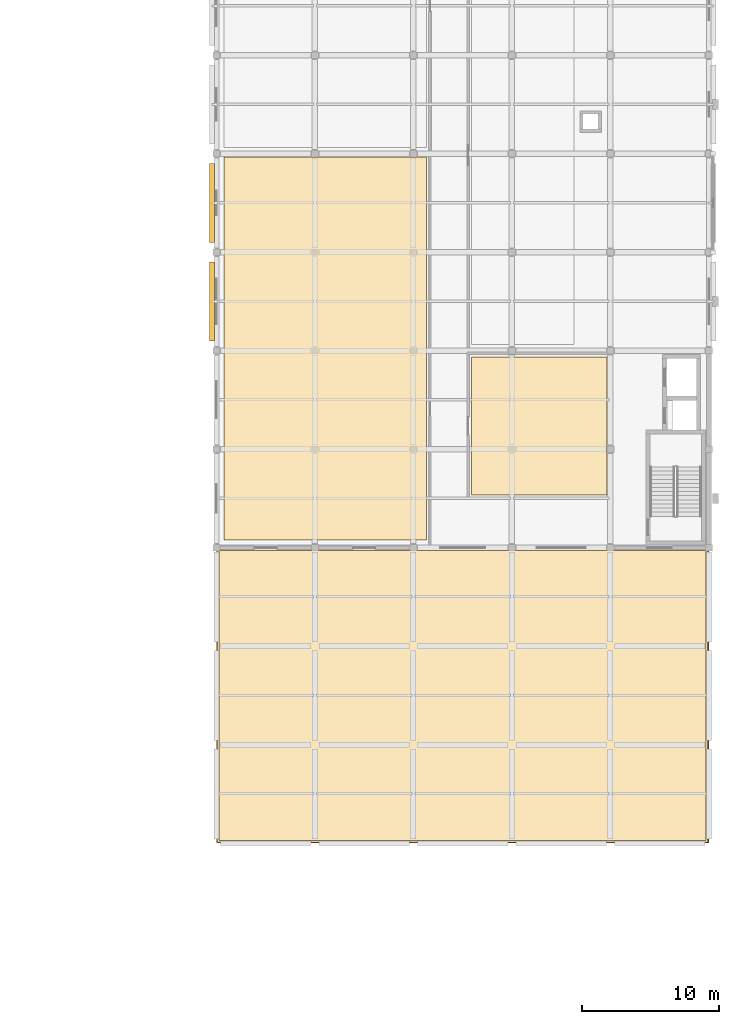
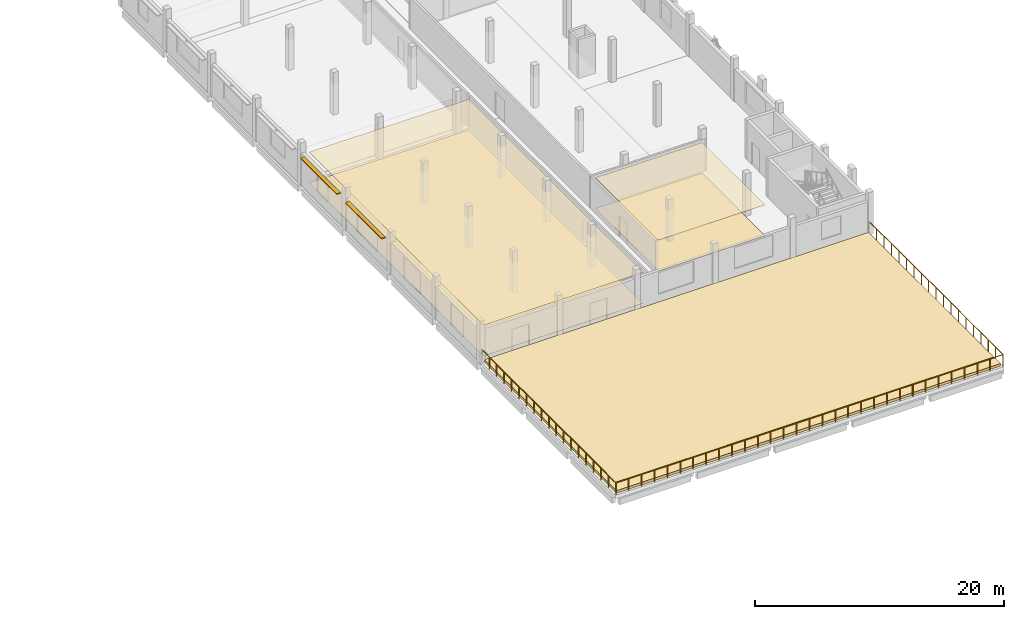
# One storey, part 31 of 33: 5 coverings, 2 shading devices, 1 railing.
"""IFC4 building model written with IfcOpenShell, lengths in metres."""

from ifc_helpers import new_model, si_unit, direction, frame, origin, origin_2d, place, context, subcontext, project, spatial, polyline, rectangle, circle, outline, extrude, material, layer, layer_set, type_object, element, save


model = new_model("IFC4")

# Units and contexts
model_context = context("Model", 3, precision=1e-05, world=origin(), true_north=direction((0.0, 1.0)))
body_context = subcontext(model_context, "Body", "Model", "MODEL_VIEW")
ifc_project = project(units=[si_unit("LENGTHUNIT", "METRE"), si_unit("AREAUNIT", "SQUARE_METRE"), si_unit("VOLUMEUNIT", "CUBIC_METRE"), si_unit("PLANEANGLEUNIT", "RADIAN"), si_unit("MASSUNIT", "GRAM", prefix="KILO")], contexts=[model_context])

# Site, building, storey
site_placement = place(None, origin())
site = spatial("IfcSite", under=ifc_project, at=site_placement, CompositionType="ELEMENT")
building_placement = place(site_placement, origin())
building = spatial("IfcBuilding", under=site, at=building_placement, Name="Valkovuoma Quantum and Materials Research Institute", CompositionType="ELEMENT")
storey_placement = place(building_placement, frame((0.0, 0.0, 21.43994140625)))
storey = spatial("IfcBuildingStorey", under=building, at=storey_placement, Name="L05", CompositionType="ELEMENT", Elevation=21.43994140625)

# Coverings
ifc_material_1 = material(Name="Cleanable acoustic mineral-fibre suspended ceiling", Category="masonry")
ifc_layer_1 = layer(ifc_material_1, 0.02490234375)
ifc_layer_set_1 = layer_set([ifc_layer_1], Name="Cleanable acoustic mineral-fibre suspended ceiling")
covering_type_1 = type_object("IfcCoveringType", Name="Cov-CEIL-01", PredefinedType="CEILING", material=ifc_layer_set_1)
covering_1_placement = place(storey_placement, frame((0.0, 0.0, 3.0)))
element("IfcCovering", 1, at=covering_1_placement, inside=storey, type_object=covering_type_1, Name="L05 acoustic ceiling 0127", PredefinedType="CEILING", context=body_context, shape_type="SweptSolid", body=[
    extrude(outline(polyline([(130.14990234375, 58.14990234375), (144.949951171875, 58.14990234375), (144.949951171875, 86.14990234375), (130.14990234375, 86.14990234375), (130.14990234375, 58.14990234375)])), origin(), (0.0, 0.0, 1.0), 0.025146484375),
])
covering_2_placement = place(storey_placement, frame((0.0, 0.0, 3.0)))
element("IfcCovering", 2, at=covering_2_placement, inside=storey, type_object=covering_type_1, Name="L05 acoustic ceiling 0130", PredefinedType="CEILING", context=body_context, shape_type="SweptSolid", body=[
    extrude(outline(polyline([(148.25, 61.449951171875), (158.14990234375, 61.449951171875), (158.14990234375, 71.550048828125), (148.25, 71.550048828125), (148.25, 61.449951171875)])), origin(), (0.0, 0.0, 1.0), 0.025146484375),
])
ifc_material_2 = material(Name="Seamless dissipative laboratory resin flooring", Category="masonry")
ifc_layer_2 = layer(ifc_material_2, 0.014892578125)
ifc_layer_set_2 = layer_set([ifc_layer_2], Name="Seamless dissipative laboratory resin flooring")
covering_type_2 = type_object("IfcCoveringType", Name="Cov-FLOR-01", PredefinedType="FLOORING", material=ifc_layer_set_2)
covering_3_placement = place(storey_placement, origin())
element("IfcCovering", 3, at=covering_3_placement, inside=storey, type_object=covering_type_2, Name="L05 resin flooring 0127", PredefinedType="FLOORING", context=body_context, shape_type="SweptSolid", body=[
    extrude(outline(polyline([(130.14990234375, 58.14990234375), (144.949951171875, 58.14990234375), (144.949951171875, 86.14990234375), (130.14990234375, 86.14990234375), (130.14990234375, 58.14990234375)])), origin(), (0.0, 0.0, 1.0), 0.01513671875),
])
covering_4_placement = place(storey_placement, origin())
element("IfcCovering", 4, at=covering_4_placement, inside=storey, type_object=covering_type_2, Name="L05 resin flooring 0130", PredefinedType="FLOORING", context=body_context, shape_type="SweptSolid", body=[
    extrude(outline(polyline([(148.25, 61.449951171875), (158.14990234375, 61.449951171875), (158.14990234375, 71.550048828125), (148.25, 71.550048828125), (148.25, 61.449951171875)])), origin(), (0.0, 0.0, 1.0), 0.01513671875),
])
ifc_material_3 = material(Name="Extensive Nordic sedum and birch planted roof-garden build-up", Category="masonry")
ifc_layer_3 = layer(ifc_material_3, 0.25)
ifc_layer_set_3 = layer_set([ifc_layer_3], Name="Extensive Nordic sedum and birch planted roof-garden build-up")
covering_type_3 = type_object("IfcCoveringType", Name="Cov-ROOF-GDN", PredefinedType="ROOFING", material=ifc_layer_set_3)
covering_5_placement = place(storey_placement, origin())
element("IfcCovering", 5, at=covering_5_placement, inside=storey, type_object=covering_type_3, Name="L05 roof covering GDN-WET", PredefinedType="ROOFING", context=body_context, shape_type="SweptSolid", body=[
    extrude(outline(polyline([(129.800048828125, 36.199951171875), (165.39990234375, 36.199951171875), (165.39990234375, 57.39990234375), (129.800048828125, 57.39990234375), (129.800048828125, 36.199951171875)])), origin(), (0.0, 0.0, 1.0), 0.25),
])

# Railing
ifc_material_4 = material(Name="Hot-dip galvanised and powder-coated steel guardrail", Category="steel")
railing_type = type_object("IfcRailingType", Name="Rail-GRD-EXT", PredefinedType="BALUSTRADE", material=ifc_material_4)
railing_placement = place(storey_placement, frame((129.64990234375, 57.550048828125, 0.0)))
element("IfcRailing", 6, at=railing_placement, inside=storey, type_object=railing_type, Name="L05 perimeter balustrade 03", PredefinedType="BALUSTRADE", context=body_context, shape_type="SweptSolid", body=[
    extrude(circle(Radius=0.02392578125, at=origin_2d()), frame((0.0, 0.0, 1.17578125), z_axis=(0.0, -1.0, 0.0), x_axis=(1.0, 0.0, 0.0)), (0.0, 0.0, 1.0), 21.5),
    extrude(circle(Radius=0.02392578125, at=origin_2d()), frame((0.0, -21.5, 1.17578125), z_axis=(1.0, 0.0, 0.0), x_axis=(0.0, 1.0, 0.0)), (0.0, 0.0, 1.0), 35.900146484375),
    extrude(circle(Radius=0.02392578125, at=origin_2d()), frame((35.900146484375, -21.5, 1.17578125), z_axis=(0.0, 1.0, 0.0), x_axis=(-1.0, 0.0, 0.0)), (0.0, 0.0, 1.0), 21.5),
    extrude(circle(Radius=0.02099609375, at=origin_2d()), origin(), (0.0, 0.0, 1.0), 1.15185546875),
    extrude(circle(Radius=0.02099609375, at=origin_2d()), frame((0.0, -1.1943359375, 0.0)), (0.0, 0.0, 1.0), 1.15185546875),
    extrude(circle(Radius=0.02099609375, at=origin_2d()), frame((0.0, -2.388916015625, 0.0)), (0.0, 0.0, 1.0), 1.15185546875),
    extrude(circle(Radius=0.02099609375, at=origin_2d()), frame((0.0, -3.583251953125, 0.0)), (0.0, 0.0, 1.0), 1.15185546875),
    extrude(circle(Radius=0.02099609375, at=origin_2d()), frame((0.0, -4.77783203125, 0.0)), (0.0, 0.0, 1.0), 1.15185546875),
    extrude(circle(Radius=0.02099609375, at=origin_2d()), frame((0.0, -5.97216796875, 0.0)), (0.0, 0.0, 1.0), 1.15185546875),
    extrude(circle(Radius=0.02099609375, at=origin_2d()), frame((0.0, -7.166748046875, 0.0)), (0.0, 0.0, 1.0), 1.15185546875),
    extrude(circle(Radius=0.02099609375, at=origin_2d()), frame((0.0, -8.361083984375, 0.0)), (0.0, 0.0, 1.0), 1.15185546875),
    extrude(circle(Radius=0.02099609375, at=origin_2d()), frame((0.0, -9.5556640625, 0.0)), (0.0, 0.0, 1.0), 1.15185546875),
    extrude(circle(Radius=0.02099609375, at=origin_2d()), frame((0.0, -10.75, 0.0)), (0.0, 0.0, 1.0), 1.15185546875),
    extrude(circle(Radius=0.02099609375, at=origin_2d()), frame((0.0, -11.9443359375, 0.0)), (0.0, 0.0, 1.0), 1.15185546875),
    extrude(circle(Radius=0.02099609375, at=origin_2d()), frame((0.0, -13.138916015625, 0.0)), (0.0, 0.0, 1.0), 1.15185546875),
    extrude(circle(Radius=0.02099609375, at=origin_2d()), frame((0.0, -14.333251953125, 0.0)), (0.0, 0.0, 1.0), 1.15185546875),
    extrude(circle(Radius=0.02099609375, at=origin_2d()), frame((0.0, -15.52783203125, 0.0)), (0.0, 0.0, 1.0), 1.15185546875),
    extrude(circle(Radius=0.02099609375, at=origin_2d()), frame((0.0, -16.72216796875, 0.0)), (0.0, 0.0, 1.0), 1.15185546875),
    extrude(circle(Radius=0.02099609375, at=origin_2d()), frame((0.0, -17.916748046875, 0.0)), (0.0, 0.0, 1.0), 1.15185546875),
    extrude(circle(Radius=0.02099609375, at=origin_2d()), frame((0.0, -19.111083984375, 0.0)), (0.0, 0.0, 1.0), 1.15185546875),
    extrude(circle(Radius=0.02099609375, at=origin_2d()), frame((0.0, -20.3056640625, 0.0)), (0.0, 0.0, 1.0), 1.15185546875),
    extrude(circle(Radius=0.02099609375, at=origin_2d()), frame((0.0, -21.5, 0.0)), (0.0, 0.0, 1.0), 1.15185546875),
    extrude(circle(Radius=0.02099609375, at=origin_2d()), frame((1.19677734375, -21.5, 0.0)), (0.0, 0.0, 1.0), 1.15185546875),
    extrude(circle(Radius=0.02099609375, at=origin_2d()), frame((2.393310546875, -21.5, 0.0)), (0.0, 0.0, 1.0), 1.15185546875),
    extrude(circle(Radius=0.02099609375, at=origin_2d()), frame((3.590087890625, -21.5, 0.0)), (0.0, 0.0, 1.0), 1.15185546875),
    extrude(circle(Radius=0.02099609375, at=origin_2d()), frame((4.78662109375, -21.5, 0.0)), (0.0, 0.0, 1.0), 1.15185546875),
    extrude(circle(Radius=0.02099609375, at=origin_2d()), frame((5.9833984375, -21.5, 0.0)), (0.0, 0.0, 1.0), 1.15185546875),
    extrude(circle(Radius=0.02099609375, at=origin_2d()), frame((7.179931640625, -21.5, 0.0)), (0.0, 0.0, 1.0), 1.15185546875),
    extrude(circle(Radius=0.02099609375, at=origin_2d()), frame((8.376708984375, -21.5, 0.0)), (0.0, 0.0, 1.0), 1.15185546875),
    extrude(circle(Radius=0.02099609375, at=origin_2d()), frame((9.573486328125, -21.5, 0.0)), (0.0, 0.0, 1.0), 1.15185546875),
    extrude(circle(Radius=0.02099609375, at=origin_2d()), frame((10.77001953125, -21.5, 0.0)), (0.0, 0.0, 1.0), 1.15185546875),
    extrude(circle(Radius=0.02099609375, at=origin_2d()), frame((11.966796875, -21.5, 0.0)), (0.0, 0.0, 1.0), 1.15185546875),
    extrude(circle(Radius=0.02099609375, at=origin_2d()), frame((13.163330078125, -21.5, 0.0)), (0.0, 0.0, 1.0), 1.15185546875),
    extrude(circle(Radius=0.02099609375, at=origin_2d()), frame((14.360107421875, -21.5, 0.0)), (0.0, 0.0, 1.0), 1.15185546875),
    extrude(circle(Radius=0.02099609375, at=origin_2d()), frame((15.556640625, -21.5, 0.0)), (0.0, 0.0, 1.0), 1.15185546875),
    extrude(circle(Radius=0.02099609375, at=origin_2d()), frame((16.75341796875, -21.5, 0.0)), (0.0, 0.0, 1.0), 1.15185546875),
    extrude(circle(Radius=0.02099609375, at=origin_2d()), frame((17.9501953125, -21.5, 0.0)), (0.0, 0.0, 1.0), 1.15185546875),
    extrude(circle(Radius=0.02099609375, at=origin_2d()), frame((19.146728515625, -21.5, 0.0)), (0.0, 0.0, 1.0), 1.15185546875),
    extrude(circle(Radius=0.02099609375, at=origin_2d()), frame((20.343505859375, -21.5, 0.0)), (0.0, 0.0, 1.0), 1.15185546875),
    extrude(circle(Radius=0.02099609375, at=origin_2d()), frame((21.5400390625, -21.5, 0.0)), (0.0, 0.0, 1.0), 1.15185546875),
    extrude(circle(Radius=0.02099609375, at=origin_2d()), frame((22.73681640625, -21.5, 0.0)), (0.0, 0.0, 1.0), 1.15185546875),
    extrude(circle(Radius=0.02099609375, at=origin_2d()), frame((23.933349609375, -21.5, 0.0)), (0.0, 0.0, 1.0), 1.15185546875),
    extrude(circle(Radius=0.02099609375, at=origin_2d()), frame((25.130126953125, -21.5, 0.0)), (0.0, 0.0, 1.0), 1.15185546875),
    extrude(circle(Radius=0.02099609375, at=origin_2d()), frame((26.32666015625, -21.5, 0.0)), (0.0, 0.0, 1.0), 1.15185546875),
    extrude(circle(Radius=0.02099609375, at=origin_2d()), frame((27.5234375, -21.5, 0.0)), (0.0, 0.0, 1.0), 1.15185546875),
    extrude(circle(Radius=0.02099609375, at=origin_2d()), frame((28.72021484375, -21.5, 0.0)), (0.0, 0.0, 1.0), 1.15185546875),
    extrude(circle(Radius=0.02099609375, at=origin_2d()), frame((29.916748046875, -21.5, 0.0)), (0.0, 0.0, 1.0), 1.15185546875),
    extrude(circle(Radius=0.02099609375, at=origin_2d()), frame((31.113525390625, -21.5, 0.0)), (0.0, 0.0, 1.0), 1.15185546875),
    extrude(circle(Radius=0.02099609375, at=origin_2d()), frame((32.31005859375, -21.5, 0.0)), (0.0, 0.0, 1.0), 1.15185546875),
    extrude(circle(Radius=0.02099609375, at=origin_2d()), frame((33.5068359375, -21.5, 0.0)), (0.0, 0.0, 1.0), 1.15185546875),
    extrude(circle(Radius=0.02099609375, at=origin_2d()), frame((34.703369140625, -21.5, 0.0)), (0.0, 0.0, 1.0), 1.15185546875),
    extrude(circle(Radius=0.02099609375, at=origin_2d()), frame((35.900146484375, -21.5, 0.0)), (0.0, 0.0, 1.0), 1.15185546875),
    extrude(circle(Radius=0.02099609375, at=origin_2d()), frame((35.900146484375, -20.3056640625, 0.0)), (0.0, 0.0, 1.0), 1.15185546875),
    extrude(circle(Radius=0.02099609375, at=origin_2d()), frame((35.900146484375, -19.111083984375, 0.0)), (0.0, 0.0, 1.0), 1.15185546875),
    extrude(circle(Radius=0.02099609375, at=origin_2d()), frame((35.900146484375, -17.916748046875, 0.0)), (0.0, 0.0, 1.0), 1.15185546875),
    extrude(circle(Radius=0.02099609375, at=origin_2d()), frame((35.900146484375, -16.72216796875, 0.0)), (0.0, 0.0, 1.0), 1.15185546875),
    extrude(circle(Radius=0.02099609375, at=origin_2d()), frame((35.900146484375, -15.52783203125, 0.0)), (0.0, 0.0, 1.0), 1.15185546875),
    extrude(circle(Radius=0.02099609375, at=origin_2d()), frame((35.900146484375, -14.333251953125, 0.0)), (0.0, 0.0, 1.0), 1.15185546875),
    extrude(circle(Radius=0.02099609375, at=origin_2d()), frame((35.900146484375, -13.138916015625, 0.0)), (0.0, 0.0, 1.0), 1.15185546875),
    extrude(circle(Radius=0.02099609375, at=origin_2d()), frame((35.900146484375, -11.9443359375, 0.0)), (0.0, 0.0, 1.0), 1.15185546875),
    extrude(circle(Radius=0.02099609375, at=origin_2d()), frame((35.900146484375, -10.75, 0.0)), (0.0, 0.0, 1.0), 1.15185546875),
    extrude(circle(Radius=0.02099609375, at=origin_2d()), frame((35.900146484375, -9.5556640625, 0.0)), (0.0, 0.0, 1.0), 1.15185546875),
    extrude(circle(Radius=0.02099609375, at=origin_2d()), frame((35.900146484375, -8.361083984375, 0.0)), (0.0, 0.0, 1.0), 1.15185546875),
    extrude(circle(Radius=0.02099609375, at=origin_2d()), frame((35.900146484375, -7.166748046875, 0.0)), (0.0, 0.0, 1.0), 1.15185546875),
    extrude(circle(Radius=0.02099609375, at=origin_2d()), frame((35.900146484375, -5.97216796875, 0.0)), (0.0, 0.0, 1.0), 1.15185546875),
    extrude(circle(Radius=0.02099609375, at=origin_2d()), frame((35.900146484375, -4.77783203125, 0.0)), (0.0, 0.0, 1.0), 1.15185546875),
    extrude(circle(Radius=0.02099609375, at=origin_2d()), frame((35.900146484375, -3.583251953125, 0.0)), (0.0, 0.0, 1.0), 1.15185546875),
    extrude(circle(Radius=0.02099609375, at=origin_2d()), frame((35.900146484375, -2.388916015625, 0.0)), (0.0, 0.0, 1.0), 1.15185546875),
    extrude(circle(Radius=0.02099609375, at=origin_2d()), frame((35.900146484375, -1.1943359375, 0.0)), (0.0, 0.0, 1.0), 1.15185546875),
    extrude(circle(Radius=0.02099609375, at=origin_2d()), frame((35.900146484375, 0.0, 0.0)), (0.0, 0.0, 1.0), 1.15185546875),
])

# Shading devices
ifc_material_5 = material(Name="Powder-coated white perforated architectural aluminium panel", Category="aluminium")
ifc_layer_4 = layer(ifc_material_5, 0.050048828125)
ifc_layer_set_4 = layer_set([ifc_layer_4], Name="Powder-coated white perforated architectural aluminium panel")
shading_device_type_1 = type_object("IfcShadingDeviceType", Name="Screen-SCR-DENSE", PredefinedType="JALOUSIE", material=ifc_layer_set_4)
shading_device_1_placement = place(storey_placement, frame((129.280029296875, 75.60009765625, 3.010009765625), z_axis=(0.0, 0.0, 1.0), x_axis=(1.0, 0.0, 0.0)))
element("IfcShadingDevice", 7, at=shading_device_1_placement, inside=storey, type_object=shading_device_type_1, Name="L05 wet-lab solar sunshade W-0094", PredefinedType="JALOUSIE", context=body_context, shape_type="SweptSolid", body=[
    extrude(rectangle(XDim=0.360107421875, YDim=5.800048828125, at=origin_2d()), origin(), (0.0, 0.0, 1.0), 0.080078125),
])
ifc_material_6 = material(Name="Powder-coated white perforated architectural aluminium panel", Category="aluminium")
ifc_layer_5 = layer(ifc_material_6, 0.050048828125)
ifc_layer_set_5 = layer_set([ifc_layer_5], Name="Powder-coated white perforated architectural aluminium panel")
shading_device_type_2 = type_object("IfcShadingDeviceType", Name="Screen-SCR-MID", PredefinedType="JALOUSIE", material=ifc_layer_set_5)
shading_device_2_placement = place(storey_placement, frame((129.280029296875, 82.800048828125, 3.010009765625), z_axis=(0.0, 0.0, 1.0), x_axis=(1.0, 0.0, 0.0)))
element("IfcShadingDevice", 8, at=shading_device_2_placement, inside=storey, type_object=shading_device_type_2, Name="L05 wet-lab solar sunshade W-0096", PredefinedType="JALOUSIE", context=body_context, shape_type="SweptSolid", body=[
    extrude(rectangle(XDim=0.360107421875, YDim=5.800048828125, at=origin_2d()), origin(), (0.0, 0.0, 1.0), 0.080078125),
])

save(model, "model.ifc")
